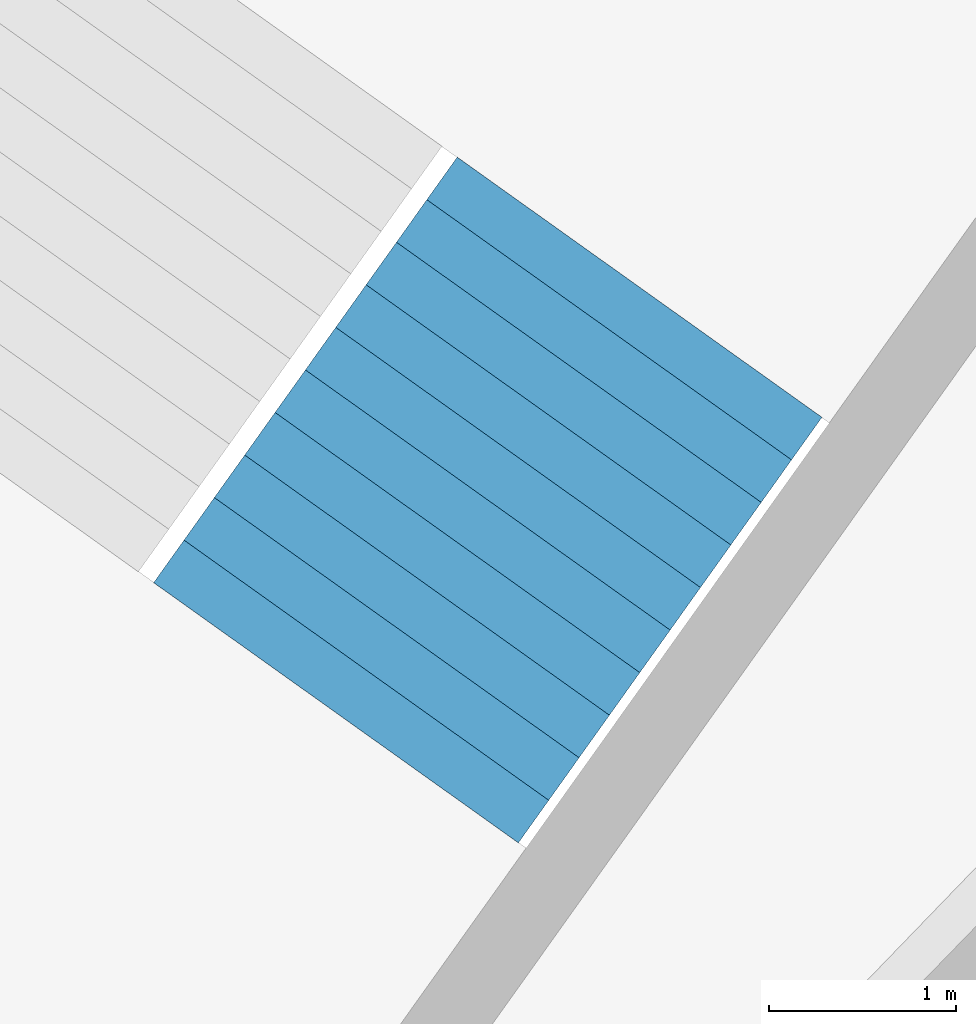
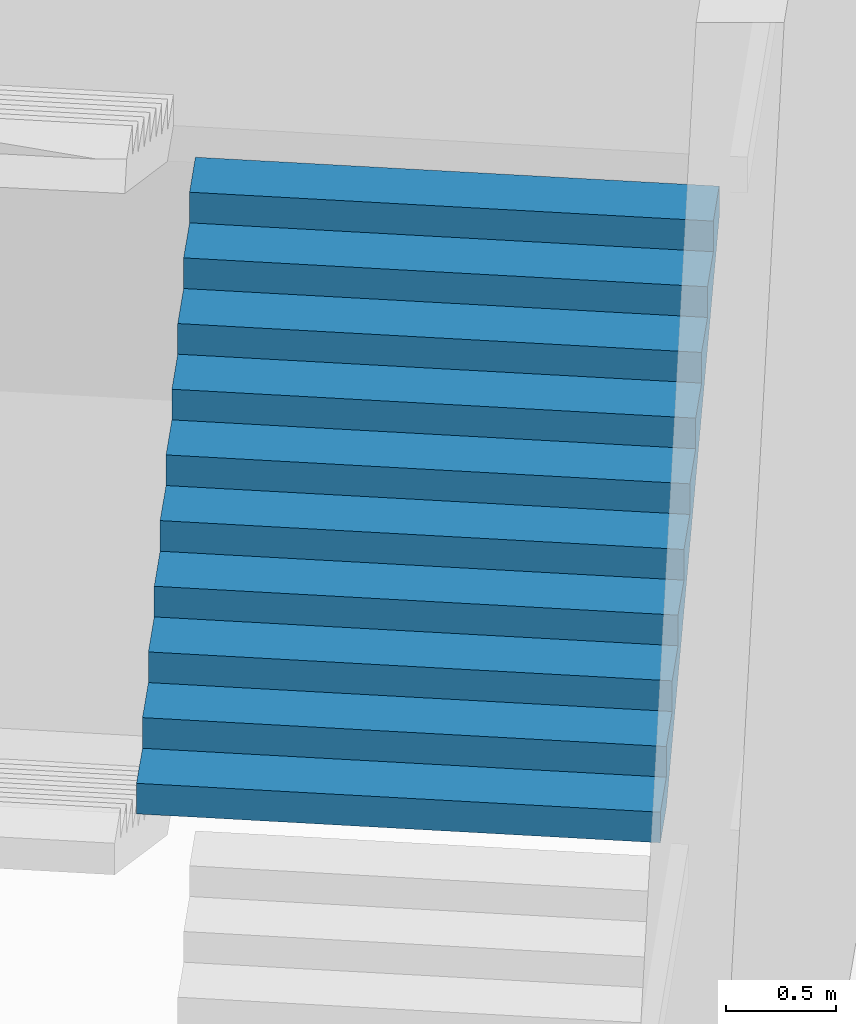
# One storey, part 70 of 73: 1 stair flight, 1 element without a shape of its own.
"""IFC4 building model written with IfcOpenShell, lengths in metres."""

from ifc_helpers import new_model, si_unit, direction, frame, origin, place, context, subcontext, project, spatial, triangles, material, type_object, element, aggregate, save


model = new_model("IFC4")

# Units and contexts
model_context = context("Model", 3, precision=1e-05, world=origin(), true_north=direction((0.0, 1.0)))
body_context = subcontext(model_context, "Body", "Model", "MODEL_VIEW")
ifc_project = project(units=[si_unit("LENGTHUNIT", "METRE"), si_unit("AREAUNIT", "SQUARE_METRE"), si_unit("VOLUMEUNIT", "CUBIC_METRE"), si_unit("PLANEANGLEUNIT", "RADIAN"), si_unit("MASSUNIT", "GRAM", prefix="KILO")], contexts=[model_context])

# Site, building, storey
site_placement = place(None, origin())
site = spatial("IfcSite", under=ifc_project, at=site_placement, CompositionType="ELEMENT")
building_placement = place(site_placement, origin())
building = spatial("IfcBuilding", under=site, at=building_placement, Name="Lantaw Convention Tower", CompositionType="ELEMENT")
storey_placement = place(building_placement, frame((0.0, 0.0, 14.5)))
storey = spatial("IfcBuildingStorey", under=building, at=storey_placement, Name="L02", CompositionType="ELEMENT", Elevation=14.5)

# Stair, stair flight
ifc_material = material(Name="Concrete C35/45", Category="concrete")
stair_type = type_object("IfcStairType", Name="Exit stair 2400 riser 170.45 in 4 flights", PredefinedType="HALF_TURN_STAIR", material=ifc_material)
stair_placement = place(storey_placement, origin())
stair = element("IfcStair", 1, at=stair_placement, inside=storey, type_object=stair_type, Name="Podium exit stair P4 L02", PredefinedType="HALF_TURN_STAIR")
stair_flight_type = type_object("IfcStairFlightType", Name="Stair flight 2400 riser 170.45", PredefinedType="STRAIGHT", material=ifc_material)
stair_flight_placement = place(storey_placement, frame((19.005615234375, 24.4921875, 3.75), z_axis=(0.0, 0.0, 1.0), x_axis=(0.580702955711, 0.814115518356, 0.0)))
stair_flight = element("IfcStairFlight", 2, at=stair_flight_placement, type_object=stair_flight_type, Name="P4 flight 3", NumberOfRisers=11, NumberOfTreads=10, PredefinedType="STRAIGHT", RiserHeight=0.170454545, TreadLength=0.28, context=body_context, shape_type="Tessellation", body=[
    triangles([(0.0, 1.199951171875, 0.0), (0.0, 1.199951171875, 0.170454545), (0.28, 1.199951171875, 0.0), (0.28, 1.199951171875, 0.170454545), (0.28, 1.199951171875, 0.34090909), (0.28827876332691904, 1.199951171875, 0.0), (0.28827876332691904, 1.199951171875, 0.34090909), (0.56, 1.199951171875, 0.16541471344266906), (0.56, 1.199951171875, 0.34090909), (0.56, 1.199951171875, 0.511363635), (0.8400000000000001, 1.199951171875, 0.335869258442669), (0.8400000000000001, 1.199951171875, 0.511363635), (0.8400000000000001, 1.199951171875, 0.68181818), (1.12, 1.199951171875, 0.506323803442669), (1.12, 1.199951171875, 0.68181818), (1.12, 1.199951171875, 0.8522727250000001), (1.4000000000000001, 1.199951171875, 0.676778348442669), (1.4000000000000001, 1.199951171875, 0.8522727250000001), (1.4000000000000001, 1.199951171875, 1.02272727), (1.6800000000000002, 1.199951171875, 0.847232893442669), (1.6800000000000002, 1.199951171875, 1.02272727), (1.6800000000000002, 1.199951171875, 1.193181815), (1.9600000000000002, 1.199951171875, 1.017687438442669), (1.9600000000000002, 1.199951171875, 1.193181815), (1.9600000000000002, 1.199951171875, 1.36363636), (2.24, 1.199951171875, 1.188141983442669), (2.24, 1.199951171875, 1.36363636), (2.24, 1.199951171875, 1.5340909050000002), (2.5200000000000005, 1.199951171875, 1.358596528442669), (2.5200000000000005, 1.199951171875, 1.5340909050000002), (2.5200000000000005, 1.199951171875, 1.7045454500000001), (2.8000000000000003, 1.199951171875, 1.529051073442669), (2.8000000000000003, 1.199951171875, 1.7045454500000001), (0.0, -1.199951171875, 0.0), (0.0, -1.199951171875, 0.170454545), (0.28, -1.199951171875, 0.0), (0.28, -1.199951171875, 0.170454545), (0.28, -1.199951171875, 0.34090909), (0.28827876332691904, -1.199951171875, 0.0), (0.28827876332691904, -1.199951171875, 0.34090909), (0.56, -1.199951171875, 0.16541471344266906), (0.56, -1.199951171875, 0.34090909), (0.56, -1.199951171875, 0.511363635), (0.8400000000000001, -1.199951171875, 0.335869258442669), (0.8400000000000001, -1.199951171875, 0.511363635), (0.8400000000000001, -1.199951171875, 0.68181818), (1.12, -1.199951171875, 0.506323803442669), (1.12, -1.199951171875, 0.68181818), (1.12, -1.199951171875, 0.8522727250000001), (1.4000000000000001, -1.199951171875, 0.676778348442669), (1.4000000000000001, -1.199951171875, 0.8522727250000001), (1.4000000000000001, -1.199951171875, 1.02272727), (1.6800000000000002, -1.199951171875, 0.847232893442669), (1.6800000000000002, -1.199951171875, 1.02272727), (1.6800000000000002, -1.199951171875, 1.193181815), (1.9600000000000002, -1.199951171875, 1.017687438442669), (1.9600000000000002, -1.199951171875, 1.193181815), (1.9600000000000002, -1.199951171875, 1.36363636), (2.24, -1.199951171875, 1.188141983442669), (2.24, -1.199951171875, 1.36363636), (2.24, -1.199951171875, 1.5340909050000002), (2.5200000000000005, -1.199951171875, 1.358596528442669), (2.5200000000000005, -1.199951171875, 1.5340909050000002), (2.5200000000000005, -1.199951171875, 1.7045454500000001), (2.8000000000000003, -1.199951171875, 1.529051073442669), (2.8000000000000003, -1.199951171875, 1.7045454500000001), (0.0, 0.239990234375, 0.170454545), (0.0, 0.239990234375, 0.0), (0.0, 0.1199951171875, 0.170454545), (0.0, 0.1199951171875, 0.0), (0.0, 0.0, 0.170454545), (0.0, 0.0, 0.0), (0.0, -0.1199951171875, 0.170454545), (0.0, -0.1199951171875, 0.0), (0.0, -0.239990234375, 0.170454545), (0.0, -0.239990234375, 0.0), (0.28, 0.239990234375, 0.34090909), (0.28, 0.239990234375, 0.170454545), (0.28, 0.1199951171875, 0.34090909), (0.28, 0.1199951171875, 0.170454545), (0.28, 0.0, 0.34090909), (0.28, 0.0, 0.170454545), (0.28, -0.1199951171875, 0.34090909), (0.28, -0.1199951171875, 0.170454545), (0.28, -0.239990234375, 0.34090909), (0.28, -0.239990234375, 0.170454545), (0.56, 0.239990234375, 0.511363635), (0.56, 0.239990234375, 0.34090909), (0.56, 0.1199951171875, 0.511363635), (0.56, 0.1199951171875, 0.34090909), (0.56, 0.0, 0.511363635), (0.56, 0.0, 0.34090909), (0.56, -0.1199951171875, 0.511363635), (0.56, -0.1199951171875, 0.34090909), (0.56, -0.239990234375, 0.511363635), (0.56, -0.239990234375, 0.34090909), (0.8400000000000001, 0.239990234375, 0.68181818), (0.8400000000000001, 0.239990234375, 0.511363635), (0.8400000000000001, 0.1199951171875, 0.68181818), (0.8400000000000001, 0.1199951171875, 0.511363635), (0.8400000000000001, 0.0, 0.68181818), (0.8400000000000001, 0.0, 0.511363635), (0.8400000000000001, -0.1199951171875, 0.68181818), (0.8400000000000001, -0.1199951171875, 0.511363635), (0.8400000000000001, -0.239990234375, 0.68181818), (0.8400000000000001, -0.239990234375, 0.511363635), (1.12, 0.239990234375, 0.8522727250000001), (1.12, 0.239990234375, 0.68181818), (1.12, 0.1199951171875, 0.8522727250000001), (1.12, 0.1199951171875, 0.68181818), (1.12, 0.0, 0.8522727250000001), (1.12, 0.0, 0.68181818), (1.12, -0.1199951171875, 0.8522727250000001), (1.12, -0.1199951171875, 0.68181818), (1.12, -0.239990234375, 0.8522727250000001), (1.12, -0.239990234375, 0.68181818), (1.4000000000000001, 0.239990234375, 1.02272727), (1.4000000000000001, 0.239990234375, 0.8522727250000001), (1.4000000000000001, 0.1199951171875, 1.02272727), (1.4000000000000001, 0.1199951171875, 0.8522727250000001), (1.4000000000000001, 0.0, 1.02272727), (1.4000000000000001, 0.0, 0.8522727250000001), (1.4000000000000001, -0.1199951171875, 1.02272727), (1.4000000000000001, -0.1199951171875, 0.8522727250000001), (1.4000000000000001, -0.239990234375, 1.02272727), (1.4000000000000001, -0.239990234375, 0.8522727250000001), (1.6800000000000002, 0.239990234375, 1.193181815), (1.6800000000000002, 0.239990234375, 1.02272727), (1.6800000000000002, 0.1199951171875, 1.193181815), (1.6800000000000002, 0.1199951171875, 1.02272727), (1.6800000000000002, 0.0, 1.193181815), (1.6800000000000002, 0.0, 1.02272727), (1.6800000000000002, -0.1199951171875, 1.193181815), (1.6800000000000002, -0.1199951171875, 1.02272727), (1.6800000000000002, -0.239990234375, 1.193181815), (1.6800000000000002, -0.239990234375, 1.02272727), (1.9600000000000002, 0.239990234375, 1.36363636), (1.9600000000000002, 0.239990234375, 1.193181815), (1.9600000000000002, 0.1199951171875, 1.36363636), (1.9600000000000002, 0.1199951171875, 1.193181815), (1.9600000000000002, 0.0, 1.36363636), (1.9600000000000002, 0.0, 1.193181815), (1.9600000000000002, -0.1199951171875, 1.36363636), (1.9600000000000002, -0.1199951171875, 1.193181815), (1.9600000000000002, -0.239990234375, 1.36363636), (1.9600000000000002, -0.239990234375, 1.193181815), (2.24, 0.239990234375, 1.5340909050000002), (2.24, 0.239990234375, 1.36363636), (2.24, 0.1199951171875, 1.5340909050000002), (2.24, 0.1199951171875, 1.36363636), (2.24, 0.0, 1.5340909050000002), (2.24, 0.0, 1.36363636), (2.24, -0.1199951171875, 1.5340909050000002), (2.24, -0.1199951171875, 1.36363636), (2.24, -0.239990234375, 1.5340909050000002), (2.24, -0.239990234375, 1.36363636), (2.5200000000000005, 0.239990234375, 1.7045454500000001), (2.5200000000000005, 0.239990234375, 1.5340909050000002), (2.5200000000000005, 0.1199951171875, 1.7045454500000001), (2.5200000000000005, 0.1199951171875, 1.5340909050000002), (2.5200000000000005, 0.0, 1.7045454500000001), (2.5200000000000005, 0.0, 1.5340909050000002), (2.5200000000000005, -0.1199951171875, 1.7045454500000001), (2.5200000000000005, -0.1199951171875, 1.5340909050000002), (2.5200000000000005, -0.239990234375, 1.7045454500000001), (2.5200000000000005, -0.239990234375, 1.5340909050000002), (0.28827876332691904, 0.239990234375, 0.34090909), (0.28827876332691904, 0.1199951171875, 0.34090909), (0.28827876332691904, 0.0, 0.34090909), (0.28827876332691904, -0.1199951171875, 0.34090909), (0.28827876332691904, -0.239990234375, 0.34090909), (2.8000000000000003, 0.239990234375, 1.7045454500000001), (2.8000000000000003, 0.1199951171875, 1.7045454500000001), (2.8000000000000003, 0.0, 1.7045454500000001), (2.8000000000000003, -0.1199951171875, 1.7045454500000001), (2.8000000000000003, -0.239990234375, 1.7045454500000001), (2.8000000000000003, 0.239990234375, 1.5290510734426692), (2.8000000000000003, 0.1199951171875, 1.5290510734426692), (2.8000000000000003, 0.0, 1.5290510734426692), (2.8000000000000003, -0.1199951171875, 1.5290510734426692), (2.8000000000000003, -0.239990234375, 1.5290510734426692), (2.5200000000000005, 0.239990234375, 1.358596528442669), (2.5200000000000005, 0.1199951171875, 1.358596528442669), (2.5200000000000005, 0.0, 1.358596528442669), (2.5200000000000005, -0.1199951171875, 1.358596528442669), (2.5200000000000005, -0.239990234375, 1.358596528442669), (2.24, 0.239990234375, 1.188141983442669), (2.24, 0.1199951171875, 1.188141983442669), (2.24, 0.0, 1.188141983442669), (2.24, -0.1199951171875, 1.188141983442669), (2.24, -0.239990234375, 1.188141983442669), (1.9600000000000002, 0.239990234375, 1.017687438442669), (1.9600000000000002, 0.1199951171875, 1.017687438442669), (1.9600000000000002, 0.0, 1.017687438442669), (1.9600000000000002, -0.1199951171875, 1.017687438442669), (1.9600000000000002, -0.239990234375, 1.017687438442669), (1.6800000000000002, 0.239990234375, 0.847232893442669), (1.6800000000000002, 0.1199951171875, 0.847232893442669), (1.6800000000000002, 0.0, 0.847232893442669), (1.6800000000000002, -0.1199951171875, 0.847232893442669), (1.6800000000000002, -0.239990234375, 0.847232893442669), (1.4000000000000001, 0.239990234375, 0.676778348442669), (1.4000000000000001, 0.1199951171875, 0.676778348442669), (1.4000000000000001, 0.0, 0.676778348442669), (1.4000000000000001, -0.1199951171875, 0.676778348442669), (1.4000000000000001, -0.239990234375, 0.676778348442669), (1.12, 0.239990234375, 0.506323803442669), (1.12, 0.1199951171875, 0.506323803442669), (1.12, 0.0, 0.506323803442669), (1.12, -0.1199951171875, 0.506323803442669), (1.12, -0.239990234375, 0.506323803442669), (0.8400000000000001, 0.239990234375, 0.335869258442669), (0.8400000000000001, 0.1199951171875, 0.335869258442669), (0.8400000000000001, 0.0, 0.335869258442669), (0.8400000000000001, -0.1199951171875, 0.335869258442669), (0.8400000000000001, -0.239990234375, 0.335869258442669), (0.56, 0.239990234375, 0.16541471344266906), (0.56, 0.1199951171875, 0.16541471344266906), (0.56, 0.0, 0.16541471344266906), (0.56, -0.1199951171875, 0.16541471344266906), (0.56, -0.239990234375, 0.16541471344266906), (0.28827876332691904, 0.239990234375, 0.0), (0.28827876332691904, 0.1199951171875, 0.0), (0.28827876332691904, 0.0, 0.0), (0.28827876332691904, -0.1199951171875, 0.0), (0.28827876332691904, -0.239990234375, 0.0), (0.28, 0.239990234375, 0.0), (0.28, 0.1199951171875, 0.0), (0.28, 0.0, 0.0), (0.28, -0.1199951171875, 0.0), (0.28, -0.239990234375, 0.0)], [[1, 4, 3], [1, 2, 4], [3, 4, 6], [4, 7, 6], [4, 5, 7], [6, 9, 8], [6, 7, 9], [8, 9, 11], [9, 12, 11], [9, 10, 12], [11, 12, 14], [12, 15, 14], [12, 13, 15], [14, 15, 17], [15, 18, 17], [15, 16, 18], [17, 18, 20], [18, 21, 20], [18, 19, 21], [20, 21, 23], [21, 24, 23], [21, 22, 24], [23, 24, 26], [24, 27, 26], [24, 25, 27], [26, 27, 29], [27, 30, 29], [27, 28, 30], [29, 30, 32], [30, 33, 32], [30, 31, 33], [34, 36, 37], [34, 37, 35], [36, 39, 37], [37, 39, 40], [37, 40, 38], [39, 41, 42], [39, 42, 40], [41, 44, 42], [42, 44, 45], [42, 45, 43], [44, 47, 45], [45, 47, 48], [45, 48, 46], [47, 50, 48], [48, 50, 51], [48, 51, 49], [50, 53, 51], [51, 53, 54], [51, 54, 52], [53, 56, 54], [54, 56, 57], [54, 57, 55], [56, 59, 57], [57, 59, 60], [57, 60, 58], [59, 62, 60], [60, 62, 63], [60, 63, 61], [62, 65, 63], [63, 65, 66], [63, 66, 64], [1, 67, 2], [1, 68, 67], [68, 69, 67], [68, 70, 69], [70, 71, 69], [70, 72, 71], [72, 73, 71], [72, 74, 73], [74, 75, 73], [74, 76, 75], [76, 35, 75], [76, 34, 35], [4, 77, 5], [4, 78, 77], [78, 79, 77], [78, 80, 79], [80, 81, 79], [80, 82, 81], [82, 83, 81], [82, 84, 83], [84, 85, 83], [84, 86, 85], [86, 38, 85], [86, 37, 38], [9, 87, 10], [9, 88, 87], [88, 89, 87], [88, 90, 89], [90, 91, 89], [90, 92, 91], [92, 93, 91], [92, 94, 93], [94, 95, 93], [94, 96, 95], [96, 43, 95], [96, 42, 43], [12, 97, 13], [12, 98, 97], [98, 99, 97], [98, 100, 99], [100, 101, 99], [100, 102, 101], [102, 103, 101], [102, 104, 103], [104, 105, 103], [104, 106, 105], [106, 46, 105], [106, 45, 46], [15, 107, 16], [15, 108, 107], [108, 109, 107], [108, 110, 109], [110, 111, 109], [110, 112, 111], [112, 113, 111], [112, 114, 113], [114, 115, 113], [114, 116, 115], [116, 49, 115], [116, 48, 49], [18, 117, 19], [18, 118, 117], [118, 119, 117], [118, 120, 119], [120, 121, 119], [120, 122, 121], [122, 123, 121], [122, 124, 123], [124, 125, 123], [124, 126, 125], [126, 52, 125], [126, 51, 52], [21, 127, 22], [21, 128, 127], [128, 129, 127], [128, 130, 129], [130, 131, 129], [130, 132, 131], [132, 133, 131], [132, 134, 133], [134, 135, 133], [134, 136, 135], [136, 55, 135], [136, 54, 55], [24, 137, 25], [24, 138, 137], [138, 139, 137], [138, 140, 139], [140, 141, 139], [140, 142, 141], [142, 143, 141], [142, 144, 143], [144, 145, 143], [144, 146, 145], [146, 58, 145], [146, 57, 58], [27, 147, 28], [27, 148, 147], [148, 149, 147], [148, 150, 149], [150, 151, 149], [150, 152, 151], [152, 153, 151], [152, 154, 153], [154, 155, 153], [154, 156, 155], [156, 61, 155], [156, 60, 61], [30, 157, 31], [30, 158, 157], [158, 159, 157], [158, 160, 159], [160, 161, 159], [160, 162, 161], [162, 163, 161], [162, 164, 163], [164, 165, 163], [164, 166, 165], [166, 64, 165], [166, 63, 64], [2, 78, 4], [2, 67, 78], [67, 80, 78], [67, 69, 80], [69, 82, 80], [69, 71, 82], [71, 84, 82], [71, 73, 84], [73, 86, 84], [73, 75, 86], [75, 37, 86], [75, 35, 37], [5, 167, 7], [5, 77, 167], [77, 168, 167], [77, 79, 168], [79, 169, 168], [79, 81, 169], [81, 170, 169], [81, 83, 170], [83, 171, 170], [83, 85, 171], [85, 40, 171], [85, 38, 40], [7, 88, 9], [7, 167, 88], [167, 90, 88], [167, 168, 90], [168, 92, 90], [168, 169, 92], [169, 94, 92], [169, 170, 94], [170, 96, 94], [170, 171, 96], [171, 42, 96], [171, 40, 42], [10, 98, 12], [10, 87, 98], [87, 100, 98], [87, 89, 100], [89, 102, 100], [89, 91, 102], [91, 104, 102], [91, 93, 104], [93, 106, 104], [93, 95, 106], [95, 45, 106], [95, 43, 45], [13, 108, 15], [13, 97, 108], [97, 110, 108], [97, 99, 110], [99, 112, 110], [99, 101, 112], [101, 114, 112], [101, 103, 114], [103, 116, 114], [103, 105, 116], [105, 48, 116], [105, 46, 48], [16, 118, 18], [16, 107, 118], [107, 120, 118], [107, 109, 120], [109, 122, 120], [109, 111, 122], [111, 124, 122], [111, 113, 124], [113, 126, 124], [113, 115, 126], [115, 51, 126], [115, 49, 51], [19, 128, 21], [19, 117, 128], [117, 130, 128], [117, 119, 130], [119, 132, 130], [119, 121, 132], [121, 134, 132], [121, 123, 134], [123, 136, 134], [123, 125, 136], [125, 54, 136], [125, 52, 54], [22, 138, 24], [22, 127, 138], [127, 140, 138], [127, 129, 140], [129, 142, 140], [129, 131, 142], [131, 144, 142], [131, 133, 144], [133, 146, 144], [133, 135, 146], [135, 57, 146], [135, 55, 57], [25, 148, 27], [25, 137, 148], [137, 150, 148], [137, 139, 150], [139, 152, 150], [139, 141, 152], [141, 154, 152], [141, 143, 154], [143, 156, 154], [143, 145, 156], [145, 60, 156], [145, 58, 60], [28, 158, 30], [28, 147, 158], [147, 160, 158], [147, 149, 160], [149, 162, 160], [149, 151, 162], [151, 164, 162], [151, 153, 164], [153, 166, 164], [153, 155, 166], [155, 63, 166], [155, 61, 63], [31, 172, 33], [31, 157, 172], [157, 173, 172], [157, 159, 173], [159, 174, 173], [159, 161, 174], [161, 175, 174], [161, 163, 175], [163, 176, 175], [163, 165, 176], [165, 66, 176], [165, 64, 66], [33, 177, 32], [33, 172, 177], [172, 178, 177], [172, 173, 178], [173, 179, 178], [173, 174, 179], [174, 180, 179], [174, 175, 180], [175, 181, 180], [175, 176, 181], [176, 65, 181], [176, 66, 65], [32, 182, 29], [32, 177, 182], [177, 183, 182], [177, 178, 183], [178, 184, 183], [178, 179, 184], [179, 185, 184], [179, 180, 185], [180, 186, 185], [180, 181, 186], [181, 62, 186], [181, 65, 62], [29, 187, 26], [29, 182, 187], [182, 188, 187], [182, 183, 188], [183, 189, 188], [183, 184, 189], [184, 190, 189], [184, 185, 190], [185, 191, 190], [185, 186, 191], [186, 59, 191], [186, 62, 59], [26, 192, 23], [26, 187, 192], [187, 193, 192], [187, 188, 193], [188, 194, 193], [188, 189, 194], [189, 195, 194], [189, 190, 195], [190, 196, 195], [190, 191, 196], [191, 56, 196], [191, 59, 56], [23, 197, 20], [23, 192, 197], [192, 198, 197], [192, 193, 198], [193, 199, 198], [193, 194, 199], [194, 200, 199], [194, 195, 200], [195, 201, 200], [195, 196, 201], [196, 53, 201], [196, 56, 53], [20, 202, 17], [20, 197, 202], [197, 203, 202], [197, 198, 203], [198, 204, 203], [198, 199, 204], [199, 205, 204], [199, 200, 205], [200, 206, 205], [200, 201, 206], [201, 50, 206], [201, 53, 50], [17, 207, 14], [17, 202, 207], [202, 208, 207], [202, 203, 208], [203, 209, 208], [203, 204, 209], [204, 210, 209], [204, 205, 210], [205, 211, 210], [205, 206, 211], [206, 47, 211], [206, 50, 47], [14, 212, 11], [14, 207, 212], [207, 213, 212], [207, 208, 213], [208, 214, 213], [208, 209, 214], [209, 215, 214], [209, 210, 215], [210, 216, 215], [210, 211, 216], [211, 44, 216], [211, 47, 44], [11, 217, 8], [11, 212, 217], [212, 218, 217], [212, 213, 218], [213, 219, 218], [213, 214, 219], [214, 220, 219], [214, 215, 220], [215, 221, 220], [215, 216, 221], [216, 41, 221], [216, 44, 41], [8, 222, 6], [8, 217, 222], [217, 223, 222], [217, 218, 223], [218, 224, 223], [218, 219, 224], [219, 225, 224], [219, 220, 225], [220, 226, 225], [220, 221, 226], [221, 39, 226], [221, 41, 39], [6, 227, 3], [6, 222, 227], [222, 228, 227], [222, 223, 228], [223, 229, 228], [223, 224, 229], [224, 230, 229], [224, 225, 230], [225, 231, 230], [225, 226, 231], [226, 36, 231], [226, 39, 36], [3, 68, 1], [3, 227, 68], [227, 70, 68], [227, 228, 70], [228, 72, 70], [228, 229, 72], [229, 74, 72], [229, 230, 74], [230, 76, 74], [230, 231, 76], [231, 34, 76], [231, 36, 34]], closed=True),
])
aggregate(stair, [stair_flight])

save(model, "model.ifc")
